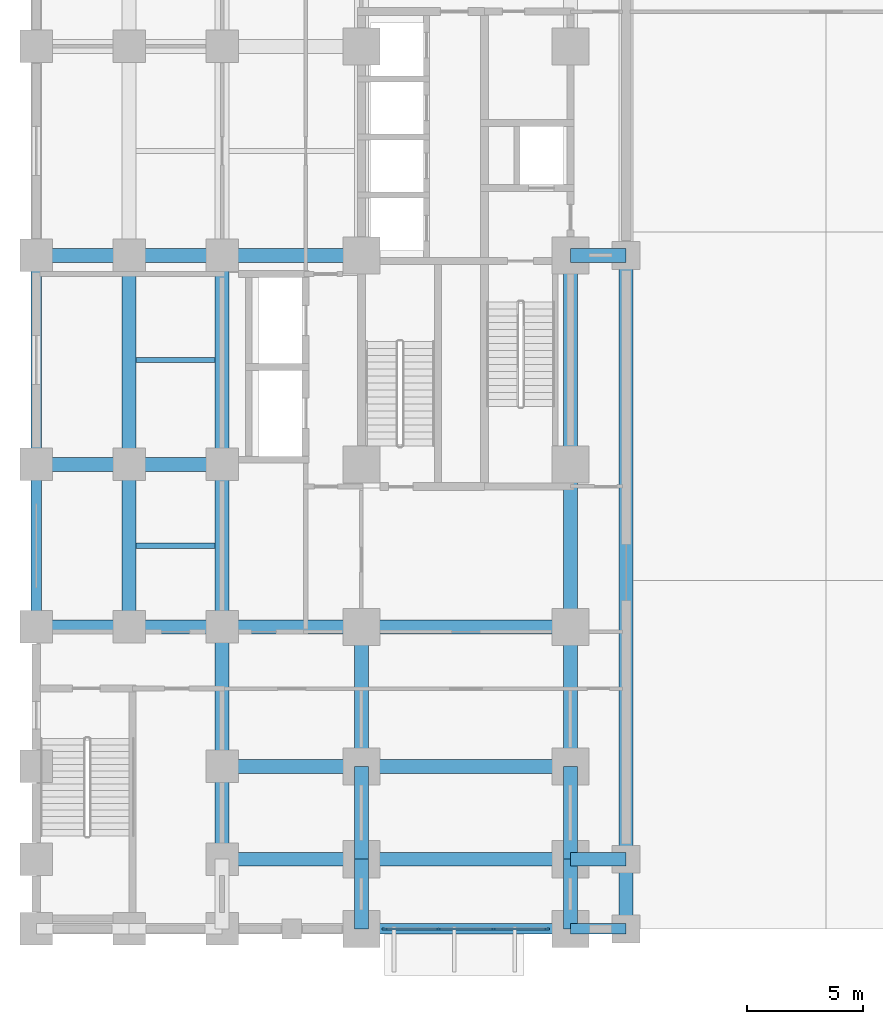
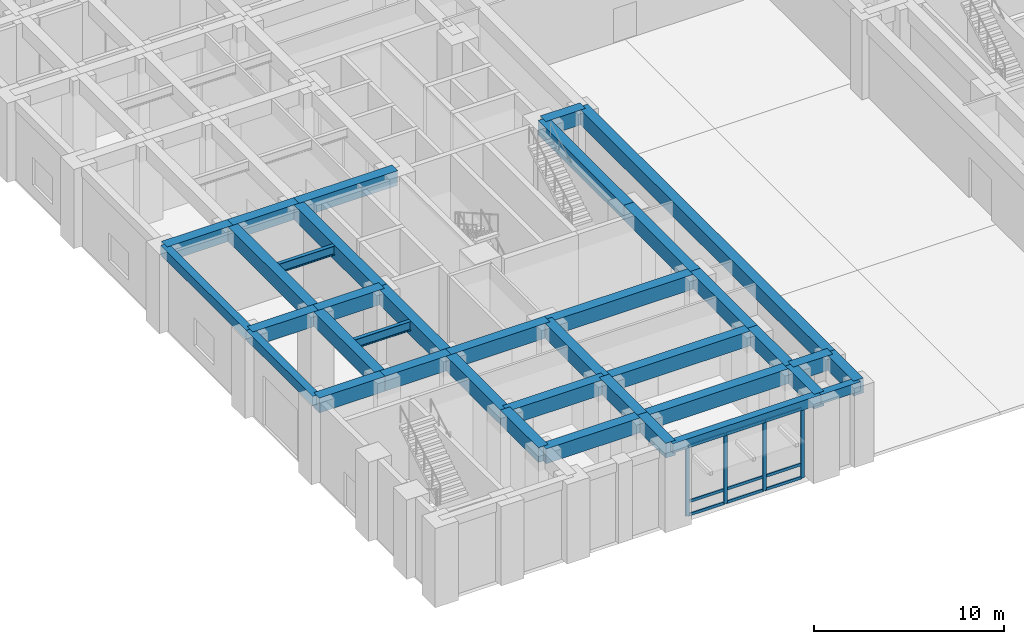
# One storey, part 2 of 20: 37 beams, 13 members, 1 element without a shape of its own.
"""IFC4 building model written with IfcOpenShell, lengths in metres."""

from ifc_helpers import new_model, si_unit, direction, frame, origin, origin_2d, place, context, subcontext, project, spatial, rectangle, i_section, extrude, material, material_profile, profile_set, type_object, element, aggregate, save


model = new_model("IFC4")

# Units and contexts
model_context = context("Model", 3, precision=1e-05, world=origin(), true_north=direction((0.0, 1.0)))
body_context = subcontext(model_context, "Body", "Model", "MODEL_VIEW")
ifc_project = project(units=[si_unit("LENGTHUNIT", "METRE"), si_unit("AREAUNIT", "SQUARE_METRE"), si_unit("VOLUMEUNIT", "CUBIC_METRE"), si_unit("PLANEANGLEUNIT", "RADIAN"), si_unit("MASSUNIT", "GRAM", prefix="KILO")], contexts=[model_context])

# Site, building, storey
site_placement = place(None, origin())
site = spatial("IfcSite", under=ifc_project, at=site_placement, CompositionType="ELEMENT")
building_placement = place(site_placement, origin())
building = spatial("IfcBuilding", under=site, at=building_placement, Name="Zulmaris Gate Convention Tower", CompositionType="ELEMENT")
storey_placement = place(building_placement, origin())
storey = spatial("IfcBuildingStorey", under=building, at=storey_placement, Name="L00", CompositionType="ELEMENT", Elevation=0.0)

# Beams
ifc_material_1 = material(Name="Concrete C60/75", Category="concrete")
ifc_material_profile_1 = material_profile(ifc_material_1, rectangle(XDim=0.60009765625, YDim=0.949951171875, at=origin_2d()), Name="RC BEAM 600x950")
ifc_profile_set_1 = profile_set([ifc_material_profile_1], Name="Concrete C60/75")
beam_type_1 = type_object("IfcBeamType", Name="BM-RC600x950", PredefinedType="BEAM", material=ifc_profile_set_1)
beam_1_placement = place(storey_placement, frame((-26.0, -26.0, 4.614990234375), z_axis=(1.0, 0.0, 0.0), x_axis=(0.0, 1.0, 0.0)))
element("IfcBeam", 1, at=beam_1_placement, inside=storey, type_object=beam_type_1, Name="L00 Beam BM-L00-X--26.0--26.0", PredefinedType="BEAM", context=body_context, shape_type="SweptSolid", body=[
    extrude(rectangle(XDim=0.60009765625, YDim=0.949951171875, at=origin_2d()), origin(), (0.0, 0.0, 1.0), 6.0),
])
beam_2_placement = place(storey_placement, frame((-20.0, -26.0, 4.614990234375), z_axis=(1.0, 0.0, 0.0), x_axis=(0.0, 1.0, 0.0)))
element("IfcBeam", 2, at=beam_2_placement, inside=storey, type_object=beam_type_1, Name="L00 Beam BM-L00-X--26.0--20.0", PredefinedType="BEAM", context=body_context, shape_type="SweptSolid", body=[
    extrude(rectangle(XDim=0.60009765625, YDim=0.949951171875, at=origin_2d()), origin(), (0.0, 0.0, 1.0), 9.0),
])
beam_3_placement = place(storey_placement, frame((-11.0, -26.0, 4.614990234375), z_axis=(1.0, 0.0, 0.0), x_axis=(0.0, 1.0, 0.0)))
element("IfcBeam", 3, at=beam_3_placement, inside=storey, type_object=beam_type_1, Name="L00 Beam BM-L00-X--26.0--11.0", PredefinedType="BEAM", context=body_context, shape_type="SweptSolid", body=[
    extrude(rectangle(XDim=0.60009765625, YDim=0.949951171875, at=origin_2d()), origin(), (0.0, 0.0, 1.0), 2.39990234375),
])
beam_4_placement = place(storey_placement, frame((-26.0, -22.0, 4.614990234375), z_axis=(1.0, 0.0, 0.0), x_axis=(0.0, 1.0, 0.0)))
element("IfcBeam", 4, at=beam_4_placement, inside=storey, type_object=beam_type_1, Name="L00 Beam BM-L00-X--22.0--26.0", PredefinedType="BEAM", context=body_context, shape_type="SweptSolid", body=[
    extrude(rectangle(XDim=0.60009765625, YDim=0.949951171875, at=origin_2d()), origin(), (0.0, 0.0, 1.0), 6.0),
])
beam_5_placement = place(storey_placement, frame((-20.0, -22.0, 4.614990234375), z_axis=(1.0, 0.0, 0.0), x_axis=(0.0, 1.0, 0.0)))
element("IfcBeam", 5, at=beam_5_placement, inside=storey, type_object=beam_type_1, Name="L00 Beam BM-L00-X--22.0--20.0", PredefinedType="BEAM", context=body_context, shape_type="SweptSolid", body=[
    extrude(rectangle(XDim=0.60009765625, YDim=0.949951171875, at=origin_2d()), origin(), (0.0, 0.0, 1.0), 9.0),
])
for number, where, z_axis, x_axis, name in (
    (6, (-34.0, -16.0, 4.614990234375), (1.0, 0.0, 0.0), (0.0, 1.0, 0.0), "L00 Beam BM-L00-X--16.0--34.0"),
    (7, (-30.0, -16.0, 4.614990234375), (1.0, 0.0, 0.0), (0.0, 1.0, 0.0), "L00 Beam BM-L00-X--16.0--30.0"),
):
    element("IfcBeam", number, at=place(storey_placement, frame(where, z_axis=z_axis, x_axis=x_axis)), inside=storey, type_object=beam_type_1, Name=name, PredefinedType="BEAM", context=body_context, shape_type="SweptSolid", body=[
        extrude(rectangle(XDim=0.60009765625, YDim=0.949951171875, at=origin_2d()), origin(), (0.0, 0.0, 1.0), 4.0),
    ])
beam_6_placement = place(storey_placement, frame((-26.0, -16.0, 4.614990234375), z_axis=(1.0, 0.0, 0.0), x_axis=(0.0, 1.0, 0.0)))
element("IfcBeam", 8, at=beam_6_placement, inside=storey, type_object=beam_type_1, Name="L00 Beam BM-L00-X--16.0--26.0", PredefinedType="BEAM", context=body_context, shape_type="SweptSolid", body=[
    extrude(rectangle(XDim=0.60009765625, YDim=0.949951171875, at=origin_2d()), origin(), (0.0, 0.0, 1.0), 6.0),
])
beam_7_placement = place(storey_placement, frame((-20.0, -16.0, 4.614990234375), z_axis=(1.0, 0.0, 0.0), x_axis=(0.0, 1.0, 0.0)))
element("IfcBeam", 9, at=beam_7_placement, inside=storey, type_object=beam_type_1, Name="L00 Beam BM-L00-X--16.0--20.0", PredefinedType="BEAM", context=body_context, shape_type="SweptSolid", body=[
    extrude(rectangle(XDim=0.60009765625, YDim=0.949951171875, at=origin_2d()), origin(), (0.0, 0.0, 1.0), 9.0),
])
for number, where, z_axis, x_axis, name in (
    (10, (-34.0, -9.0, 4.614990234375), (1.0, 0.0, 0.0), (0.0, 1.0, 0.0), "L00 Beam BM-L00-X--9.0--34.0"),
    (11, (-30.0, -9.0, 4.614990234375), (1.0, 0.0, 0.0), (0.0, 1.0, 0.0), "L00 Beam BM-L00-X--9.0--30.0"),
    (12, (-34.0, 0.0, 4.614990234375), (1.0, 0.0, 0.0), (0.0, 1.0, 0.0), "L00 Beam BM-L00-X-+0.0--34.0"),
    (13, (-30.0, 0.0, 4.614990234375), (1.0, 0.0, 0.0), (0.0, 1.0, 0.0), "L00 Beam BM-L00-X-+0.0--30.0"),
):
    element("IfcBeam", number, at=place(storey_placement, frame(where, z_axis=z_axis, x_axis=x_axis)), inside=storey, type_object=beam_type_1, Name=name, PredefinedType="BEAM", context=body_context, shape_type="SweptSolid", body=[
        extrude(rectangle(XDim=0.60009765625, YDim=0.949951171875, at=origin_2d()), origin(), (0.0, 0.0, 1.0), 4.0),
    ])
beam_8_placement = place(storey_placement, frame((-26.0, 0.0, 4.614990234375), z_axis=(1.0, 0.0, 0.0), x_axis=(0.0, 1.0, 0.0)))
element("IfcBeam", 14, at=beam_8_placement, inside=storey, type_object=beam_type_1, Name="L00 Beam BM-L00-X-+0.0--26.0", PredefinedType="BEAM", context=body_context, shape_type="SweptSolid", body=[
    extrude(rectangle(XDim=0.60009765625, YDim=0.949951171875, at=origin_2d()), origin(), (0.0, 0.0, 1.0), 6.0),
])
beam_9_placement = place(storey_placement, frame((-11.0, 0.0, 4.614990234375), z_axis=(1.0, 0.0, 0.0), x_axis=(0.0, 1.0, 0.0)))
element("IfcBeam", 15, at=beam_9_placement, inside=storey, type_object=beam_type_1, Name="L00 Beam BM-L00-X-+0.0--11.0", PredefinedType="BEAM", context=body_context, shape_type="SweptSolid", body=[
    extrude(rectangle(XDim=0.60009765625, YDim=0.949951171875, at=origin_2d()), origin(), (0.0, 0.0, 1.0), 2.39990234375),
])
beam_10_placement = place(storey_placement, frame((-30.0, -16.0, 4.614990234375), z_axis=(0.0, 1.0, 0.0), x_axis=(-1.0, 0.0, 0.0)))
element("IfcBeam", 16, at=beam_10_placement, inside=storey, type_object=beam_type_1, Name="L00 Beam BM-L00-Y--30.0--16.0", PredefinedType="BEAM", context=body_context, shape_type="SweptSolid", body=[
    extrude(rectangle(XDim=0.60009765625, YDim=0.949951171875, at=origin_2d()), origin(), (0.0, 0.0, 1.0), 7.0),
])
beam_11_placement = place(storey_placement, frame((-30.0, -9.0, 4.614990234375), z_axis=(0.0, 1.0, 0.0), x_axis=(-1.0, 0.0, 0.0)))
element("IfcBeam", 17, at=beam_11_placement, inside=storey, type_object=beam_type_1, Name="L00 Beam BM-L00-Y--30.0--9.0", PredefinedType="BEAM", context=body_context, shape_type="SweptSolid", body=[
    extrude(rectangle(XDim=0.60009765625, YDim=0.949951171875, at=origin_2d()), origin(), (0.0, 0.0, 1.0), 9.0),
])
beam_12_placement = place(storey_placement, frame((-26.0, -26.0, 4.614990234375), z_axis=(0.0, 1.0, 0.0), x_axis=(-1.0, 0.0, 0.0)))
element("IfcBeam", 18, at=beam_12_placement, inside=storey, type_object=beam_type_1, Name="L00 Beam BM-L00-Y--26.0--26.0", PredefinedType="BEAM", context=body_context, shape_type="SweptSolid", body=[
    extrude(rectangle(XDim=0.60009765625, YDim=0.949951171875, at=origin_2d()), origin(), (0.0, 0.0, 1.0), 4.0),
])
beam_13_placement = place(storey_placement, frame((-26.0, -22.0, 4.614990234375), z_axis=(0.0, 1.0, 0.0), x_axis=(-1.0, 0.0, 0.0)))
element("IfcBeam", 19, at=beam_13_placement, inside=storey, type_object=beam_type_1, Name="L00 Beam BM-L00-Y--26.0--22.0", PredefinedType="BEAM", context=body_context, shape_type="SweptSolid", body=[
    extrude(rectangle(XDim=0.60009765625, YDim=0.949951171875, at=origin_2d()), origin(), (0.0, 0.0, 1.0), 6.0),
])
beam_14_placement = place(storey_placement, frame((-26.0, -16.0, 4.614990234375), z_axis=(0.0, 1.0, 0.0), x_axis=(-1.0, 0.0, 0.0)))
element("IfcBeam", 20, at=beam_14_placement, inside=storey, type_object=beam_type_1, Name="L00 Beam BM-L00-Y--26.0--16.0", PredefinedType="BEAM", context=body_context, shape_type="SweptSolid", body=[
    extrude(rectangle(XDim=0.60009765625, YDim=0.949951171875, at=origin_2d()), origin(), (0.0, 0.0, 1.0), 7.0),
])
beam_15_placement = place(storey_placement, frame((-26.0, -9.0, 4.614990234375), z_axis=(0.0, 1.0, 0.0), x_axis=(-1.0, 0.0, 0.0)))
element("IfcBeam", 21, at=beam_15_placement, inside=storey, type_object=beam_type_1, Name="L00 Beam BM-L00-Y--26.0--9.0", PredefinedType="BEAM", context=body_context, shape_type="SweptSolid", body=[
    extrude(rectangle(XDim=0.60009765625, YDim=0.949951171875, at=origin_2d()), origin(), (0.0, 0.0, 1.0), 9.0),
])
beam_16_placement = place(storey_placement, frame((-20.0, -29.0, 4.614990234375), z_axis=(0.0, 1.0, 0.0), x_axis=(-1.0, 0.0, 0.0)))
element("IfcBeam", 22, at=beam_16_placement, inside=storey, type_object=beam_type_1, Name="L00 Beam BM-L00-Y--20.0--29.0", PredefinedType="BEAM", context=body_context, shape_type="SweptSolid", body=[
    extrude(rectangle(XDim=0.60009765625, YDim=0.949951171875, at=origin_2d()), origin(), (0.0, 0.0, 1.0), 3.0),
])
beam_17_placement = place(storey_placement, frame((-20.0, -26.0, 4.614990234375), z_axis=(0.0, 1.0, 0.0), x_axis=(-1.0, 0.0, 0.0)))
element("IfcBeam", 23, at=beam_17_placement, inside=storey, type_object=beam_type_1, Name="L00 Beam BM-L00-Y--20.0--26.0", PredefinedType="BEAM", context=body_context, shape_type="SweptSolid", body=[
    extrude(rectangle(XDim=0.60009765625, YDim=0.949951171875, at=origin_2d()), origin(), (0.0, 0.0, 1.0), 4.0),
])
beam_18_placement = place(storey_placement, frame((-20.0, -22.0, 4.614990234375), z_axis=(0.0, 1.0, 0.0), x_axis=(-1.0, 0.0, 0.0)))
element("IfcBeam", 24, at=beam_18_placement, inside=storey, type_object=beam_type_1, Name="L00 Beam BM-L00-Y--20.0--22.0", PredefinedType="BEAM", context=body_context, shape_type="SweptSolid", body=[
    extrude(rectangle(XDim=0.60009765625, YDim=0.949951171875, at=origin_2d()), origin(), (0.0, 0.0, 1.0), 6.0),
])
beam_19_placement = place(storey_placement, frame((-11.0, -29.0, 4.614990234375), z_axis=(0.0, 1.0, 0.0), x_axis=(-1.0, 0.0, 0.0)))
element("IfcBeam", 25, at=beam_19_placement, inside=storey, type_object=beam_type_1, Name="L00 Beam BM-L00-Y--11.0--29.0", PredefinedType="BEAM", context=body_context, shape_type="SweptSolid", body=[
    extrude(rectangle(XDim=0.60009765625, YDim=0.949951171875, at=origin_2d()), origin(), (0.0, 0.0, 1.0), 3.0),
])
beam_20_placement = place(storey_placement, frame((-11.0, -26.0, 4.614990234375), z_axis=(0.0, 1.0, 0.0), x_axis=(-1.0, 0.0, 0.0)))
element("IfcBeam", 26, at=beam_20_placement, inside=storey, type_object=beam_type_1, Name="L00 Beam BM-L00-Y--11.0--26.0", PredefinedType="BEAM", context=body_context, shape_type="SweptSolid", body=[
    extrude(rectangle(XDim=0.60009765625, YDim=0.949951171875, at=origin_2d()), origin(), (0.0, 0.0, 1.0), 4.0),
])
beam_21_placement = place(storey_placement, frame((-11.0, -22.0, 4.614990234375), z_axis=(0.0, 1.0, 0.0), x_axis=(-1.0, 0.0, 0.0)))
element("IfcBeam", 27, at=beam_21_placement, inside=storey, type_object=beam_type_1, Name="L00 Beam BM-L00-Y--11.0--22.0", PredefinedType="BEAM", context=body_context, shape_type="SweptSolid", body=[
    extrude(rectangle(XDim=0.60009765625, YDim=0.949951171875, at=origin_2d()), origin(), (0.0, 0.0, 1.0), 6.0),
])
beam_22_placement = place(storey_placement, frame((-11.0, -16.0, 4.614990234375), z_axis=(0.0, 1.0, 0.0), x_axis=(-1.0, 0.0, 0.0)))
element("IfcBeam", 28, at=beam_22_placement, inside=storey, type_object=beam_type_1, Name="L00 Beam BM-L00-Y--11.0--16.0", PredefinedType="BEAM", context=body_context, shape_type="SweptSolid", body=[
    extrude(rectangle(XDim=0.60009765625, YDim=0.949951171875, at=origin_2d()), origin(), (0.0, 0.0, 1.0), 7.0),
])
beam_23_placement = place(storey_placement, frame((-11.0, -9.0, 4.614990234375), z_axis=(0.0, 1.0, 0.0), x_axis=(-1.0, 0.0, 0.0)))
element("IfcBeam", 29, at=beam_23_placement, inside=storey, type_object=beam_type_1, Name="L00 Beam BM-L00-Y--11.0--9.0", PredefinedType="BEAM", context=body_context, shape_type="SweptSolid", body=[
    extrude(rectangle(XDim=0.60009765625, YDim=0.949951171875, at=origin_2d()), origin(), (0.0, 0.0, 1.0), 9.0),
])
beam_24_placement = place(storey_placement, frame((-8.60009765625, -29.0, 4.614990234375), z_axis=(0.0, 1.0, 0.0), x_axis=(-1.0, 0.0, 0.0)))
element("IfcBeam", 30, at=beam_24_placement, inside=storey, type_object=beam_type_1, Name="L00 Beam BM-L00-Y--8.6--29.0", PredefinedType="BEAM", context=body_context, shape_type="SweptSolid", body=[
    extrude(rectangle(XDim=0.60009765625, YDim=0.949951171875, at=origin_2d()), origin(), (0.0, 0.0, 1.0), 3.0),
])
beam_25_placement = place(storey_placement, frame((-8.60009765625, -26.0, 4.614990234375), z_axis=(0.0, 1.0, 0.0), x_axis=(-1.0, 0.0, 0.0)))
element("IfcBeam", 31, at=beam_25_placement, inside=storey, type_object=beam_type_1, Name="L00 Beam BM-L00-Y--8.6--26.0", PredefinedType="BEAM", context=body_context, shape_type="SweptSolid", body=[
    extrude(rectangle(XDim=0.60009765625, YDim=0.949951171875, at=origin_2d()), origin(), (0.0, 0.0, 1.0), 26.0),
])
ifc_material_2 = material(Name="Precast concrete C50/60", Category="concrete")
ifc_material_profile_2 = material_profile(ifc_material_2, rectangle(XDim=0.449951171875, YDim=0.60009765625, at=origin_2d()), Name="RC SPANDREL 450x600")
ifc_profile_set_2 = profile_set([ifc_material_profile_2], Name="Precast concrete C50/60")
beam_type_2 = type_object("IfcBeamType", Name="BM-SP450x600", PredefinedType="SPANDREL", material=ifc_profile_set_2)
beam_26_placement = place(storey_placement, frame((-20.0, -29.0, 4.789794921875), z_axis=(1.0, 0.0, 0.0), x_axis=(0.0, 1.0, 0.0)))
element("IfcBeam", 32, at=beam_26_placement, inside=storey, type_object=beam_type_2, Name="L00 Spandrel BM-L00-X--29.0--20.0", PredefinedType="SPANDREL", context=body_context, shape_type="SweptSolid", body=[
    extrude(rectangle(XDim=0.449951171875, YDim=0.60009765625, at=origin_2d()), origin(), (0.0, 0.0, 1.0), 9.0),
])
beam_27_placement = place(storey_placement, frame((-11.0, -29.0, 4.789794921875), z_axis=(1.0, 0.0, 0.0), x_axis=(0.0, 1.0, 0.0)))
element("IfcBeam", 33, at=beam_27_placement, inside=storey, type_object=beam_type_2, Name="L00 Spandrel BM-L00-X--29.0--11.0", PredefinedType="SPANDREL", context=body_context, shape_type="SweptSolid", body=[
    extrude(rectangle(XDim=0.449951171875, YDim=0.60009765625, at=origin_2d()), origin(), (0.0, 0.0, 1.0), 2.39990234375),
])
beam_28_placement = place(storey_placement, frame((-34.0, -16.0, 4.789794921875), z_axis=(0.0, 1.0, 0.0), x_axis=(-1.0, 0.0, 0.0)))
element("IfcBeam", 34, at=beam_28_placement, inside=storey, type_object=beam_type_2, Name="L00 Spandrel BM-L00-Y--34.0--16.0", PredefinedType="SPANDREL", context=body_context, shape_type="SweptSolid", body=[
    extrude(rectangle(XDim=0.449951171875, YDim=0.60009765625, at=origin_2d()), origin(), (0.0, 0.0, 1.0), 7.0),
])
beam_29_placement = place(storey_placement, frame((-34.0, -9.0, 4.789794921875), z_axis=(0.0, 1.0, 0.0), x_axis=(-1.0, 0.0, 0.0)))
element("IfcBeam", 35, at=beam_29_placement, inside=storey, type_object=beam_type_2, Name="L00 Spandrel BM-L00-Y--34.0--9.0", PredefinedType="SPANDREL", context=body_context, shape_type="SweptSolid", body=[
    extrude(rectangle(XDim=0.449951171875, YDim=0.60009765625, at=origin_2d()), origin(), (0.0, 0.0, 1.0), 9.0),
])

# Curtain wall, members
ifc_material_3 = material(Name="Anodised Aluminium", Category="aluminium")
curtain_wall_type = type_object("IfcCurtainWallType", Name="CW-01", PredefinedType="NOTDEFINED", material=ifc_material_3)
curtain_wall_placement = place(storey_placement, origin())
curtain_wall = element("IfcCurtainWall", 36, at=curtain_wall_placement, inside=storey, type_object=curtain_wall_type, Name="CW-01 CW01-L00-S-20_0", PredefinedType="NOTDEFINED")
ifc_material_profile_3 = material_profile(ifc_material_3, rectangle(XDim=0.090087890625, YDim=0.219970703125, at=origin_2d()), Name="ALU MULLION 90x220")
ifc_profile_set_3 = profile_set([ifc_material_profile_3], Name="Anodised Aluminium")
member_type_1 = type_object("IfcMemberType", Name="CW-01-MULL", PredefinedType="MULLION", material=ifc_profile_set_3)
member_1_placement = place(storey_placement, frame((-18.9951171875, -29.0, 0.0), z_axis=(0.0, 0.0, 1.0), x_axis=(0.0, 1.0, 0.0)))
member_1 = element("IfcMember", 37, at=member_1_placement, type_object=member_type_1, Name="CW-01 mullion 1", PredefinedType="MULLION", context=body_context, shape_type="SweptSolid", body=[
    extrude(rectangle(XDim=0.090087890625, YDim=0.219970703125, at=origin_2d()), origin(), (0.0, 0.0, 1.0), 4.48193359375),
])
member_2_placement = place(storey_placement, frame((-16.679931640625, -29.0, 0.0), z_axis=(0.0, 0.0, 1.0), x_axis=(0.0, 1.0, 0.0)))
member_2 = element("IfcMember", 38, at=member_2_placement, type_object=member_type_1, Name="CW-01 mullion 2", PredefinedType="MULLION", context=body_context, shape_type="SweptSolid", body=[
    extrude(rectangle(XDim=0.090087890625, YDim=0.219970703125, at=origin_2d()), origin(), (0.0, 0.0, 1.0), 4.48193359375),
])
member_3_placement = place(storey_placement, frame((-14.320068359375, -29.0, 0.0), z_axis=(0.0, 0.0, 1.0), x_axis=(0.0, 1.0, 0.0)))
member_3 = element("IfcMember", 39, at=member_3_placement, type_object=member_type_1, Name="CW-01 mullion 3", PredefinedType="MULLION", context=body_context, shape_type="SweptSolid", body=[
    extrude(rectangle(XDim=0.090087890625, YDim=0.219970703125, at=origin_2d()), origin(), (0.0, 0.0, 1.0), 4.48193359375),
])
member_4_placement = place(storey_placement, frame((-12.0048828125, -29.0, 0.0), z_axis=(0.0, 0.0, 1.0), x_axis=(0.0, 1.0, 0.0)))
member_4 = element("IfcMember", 40, at=member_4_placement, type_object=member_type_1, Name="CW-01 mullion 4", PredefinedType="MULLION", context=body_context, shape_type="SweptSolid", body=[
    extrude(rectangle(XDim=0.090087890625, YDim=0.219970703125, at=origin_2d()), origin(), (0.0, 0.0, 1.0), 4.48193359375),
])
ifc_material_profile_4 = material_profile(ifc_material_3, rectangle(XDim=0.090087890625, YDim=0.179931640625, at=origin_2d()), Name="ALU TRANSOM 90x180")
ifc_profile_set_4 = profile_set([ifc_material_profile_4], Name="Anodised Aluminium")
member_type_2 = type_object("IfcMemberType", Name="CW-01-TRAN", PredefinedType="USERDEFINED", material=ifc_profile_set_4)
member_5_placement = place(storey_placement, frame((-18.949951171875, -29.0, 0.044921875), z_axis=(1.0, 0.0, 0.0), x_axis=(0.0, 1.0, 0.0)))
member_5 = element("IfcMember", 41, at=member_5_placement, type_object=member_type_2, Name="CW-01 transom 1.1", ObjectType="TRANSOM", PredefinedType="USERDEFINED", context=body_context, shape_type="SweptSolid", body=[
    extrude(rectangle(XDim=0.090087890625, YDim=0.179931640625, at=origin_2d()), origin(), (0.0, 0.0, 1.0), 2.224853515625),
])
member_6_placement = place(storey_placement, frame((-18.949951171875, -29.0, 0.89990234375), z_axis=(1.0, 0.0, 0.0), x_axis=(0.0, 1.0, 0.0)))
member_6 = element("IfcMember", 42, at=member_6_placement, type_object=member_type_2, Name="CW-01 transom 1.2", ObjectType="TRANSOM", PredefinedType="USERDEFINED", context=body_context, shape_type="SweptSolid", body=[
    extrude(rectangle(XDim=0.090087890625, YDim=0.179931640625, at=origin_2d()), origin(), (0.0, 0.0, 1.0), 2.224853515625),
])
member_7_placement = place(storey_placement, frame((-18.949951171875, -29.0, 4.43701171875), z_axis=(1.0, 0.0, 0.0), x_axis=(0.0, 1.0, 0.0)))
member_7 = element("IfcMember", 43, at=member_7_placement, type_object=member_type_2, Name="CW-01 transom 1.3", ObjectType="TRANSOM", PredefinedType="USERDEFINED", context=body_context, shape_type="SweptSolid", body=[
    extrude(rectangle(XDim=0.090087890625, YDim=0.179931640625, at=origin_2d()), origin(), (0.0, 0.0, 1.0), 2.224853515625),
])
member_8_placement = place(storey_placement, frame((-16.635009765625, -29.0, 0.044921875), z_axis=(1.0, 0.0, 0.0), x_axis=(0.0, 1.0, 0.0)))
member_8 = element("IfcMember", 44, at=member_8_placement, type_object=member_type_2, Name="CW-01 transom 2.1", ObjectType="TRANSOM", PredefinedType="USERDEFINED", context=body_context, shape_type="SweptSolid", body=[
    extrude(rectangle(XDim=0.090087890625, YDim=0.179931640625, at=origin_2d()), origin(), (0.0, 0.0, 1.0), 2.27001953125),
])
member_9_placement = place(storey_placement, frame((-16.635009765625, -29.0, 0.89990234375), z_axis=(1.0, 0.0, 0.0), x_axis=(0.0, 1.0, 0.0)))
member_9 = element("IfcMember", 45, at=member_9_placement, type_object=member_type_2, Name="CW-01 transom 2.2", ObjectType="TRANSOM", PredefinedType="USERDEFINED", context=body_context, shape_type="SweptSolid", body=[
    extrude(rectangle(XDim=0.090087890625, YDim=0.179931640625, at=origin_2d()), origin(), (0.0, 0.0, 1.0), 2.27001953125),
])
member_10_placement = place(storey_placement, frame((-16.635009765625, -29.0, 4.43701171875), z_axis=(1.0, 0.0, 0.0), x_axis=(0.0, 1.0, 0.0)))
member_10 = element("IfcMember", 46, at=member_10_placement, type_object=member_type_2, Name="CW-01 transom 2.3", ObjectType="TRANSOM", PredefinedType="USERDEFINED", context=body_context, shape_type="SweptSolid", body=[
    extrude(rectangle(XDim=0.090087890625, YDim=0.179931640625, at=origin_2d()), origin(), (0.0, 0.0, 1.0), 2.27001953125),
])
member_11_placement = place(storey_placement, frame((-14.27490234375, -29.0, 0.044921875), z_axis=(1.0, 0.0, 0.0), x_axis=(0.0, 1.0, 0.0)))
member_11 = element("IfcMember", 47, at=member_11_placement, type_object=member_type_2, Name="CW-01 transom 3.1", ObjectType="TRANSOM", PredefinedType="USERDEFINED", context=body_context, shape_type="SweptSolid", body=[
    extrude(rectangle(XDim=0.090087890625, YDim=0.179931640625, at=origin_2d()), origin(), (0.0, 0.0, 1.0), 2.224853515625),
])
member_12_placement = place(storey_placement, frame((-14.27490234375, -29.0, 0.89990234375), z_axis=(1.0, 0.0, 0.0), x_axis=(0.0, 1.0, 0.0)))
member_12 = element("IfcMember", 48, at=member_12_placement, type_object=member_type_2, Name="CW-01 transom 3.2", ObjectType="TRANSOM", PredefinedType="USERDEFINED", context=body_context, shape_type="SweptSolid", body=[
    extrude(rectangle(XDim=0.090087890625, YDim=0.179931640625, at=origin_2d()), origin(), (0.0, 0.0, 1.0), 2.224853515625),
])
member_13_placement = place(storey_placement, frame((-14.27490234375, -29.0, 4.43701171875), z_axis=(1.0, 0.0, 0.0), x_axis=(0.0, 1.0, 0.0)))
member_13 = element("IfcMember", 49, at=member_13_placement, type_object=member_type_2, Name="CW-01 transom 3.3", ObjectType="TRANSOM", PredefinedType="USERDEFINED", context=body_context, shape_type="SweptSolid", body=[
    extrude(rectangle(XDim=0.090087890625, YDim=0.179931640625, at=origin_2d()), origin(), (0.0, 0.0, 1.0), 2.224853515625),
])
aggregate(curtain_wall, [member_1, member_2, member_3, member_4, member_5, member_6, member_7, member_8, member_9, member_10, member_11, member_12, member_13])

# Beams
ifc_material_4 = material(Name="Steel S355", Category="steel")
ifc_material_profile_5 = material_profile(ifc_material_4, i_section(OverallWidth=0.219970703125, OverallDepth=0.60009765625, WebThickness=0.011962890625, FlangeThickness=0.01904296875, FilletRadius=0.02392578125, at=origin_2d()), Name="IPE 600")
ifc_profile_set_5 = profile_set([ifc_material_profile_5], Name="Steel S355")
beam_type_3 = type_object("IfcBeamType", Name="JT-IPE600", PredefinedType="JOIST", material=ifc_profile_set_5)
for number, where, z_axis, x_axis, name in (
    (50, (-29.699951171875, -12.5, 4.787841796875), (1.0, 0.0, 0.0), (0.0, 1.0, 0.0), "L00 Joist JT-L00--30_-26--12.5"),
    (51, (-29.699951171875, -4.5, 4.787841796875), (1.0, 0.0, 0.0), (0.0, 1.0, 0.0), "L00 Joist JT-L00--30_-26--4.5"),
):
    element("IfcBeam", number, at=place(storey_placement, frame(where, z_axis=z_axis, x_axis=x_axis)), inside=storey, type_object=beam_type_3, Name=name, PredefinedType="JOIST", context=body_context, shape_type="SweptSolid", body=[
        extrude(i_section(OverallWidth=0.219970703125, OverallDepth=0.60009765625, WebThickness=0.011962890625, FlangeThickness=0.01904296875, FilletRadius=0.02392578125, at=origin_2d()), origin(), (0.0, 0.0, 1.0), 3.39990234375),
    ])

save(model, "model.ifc")
